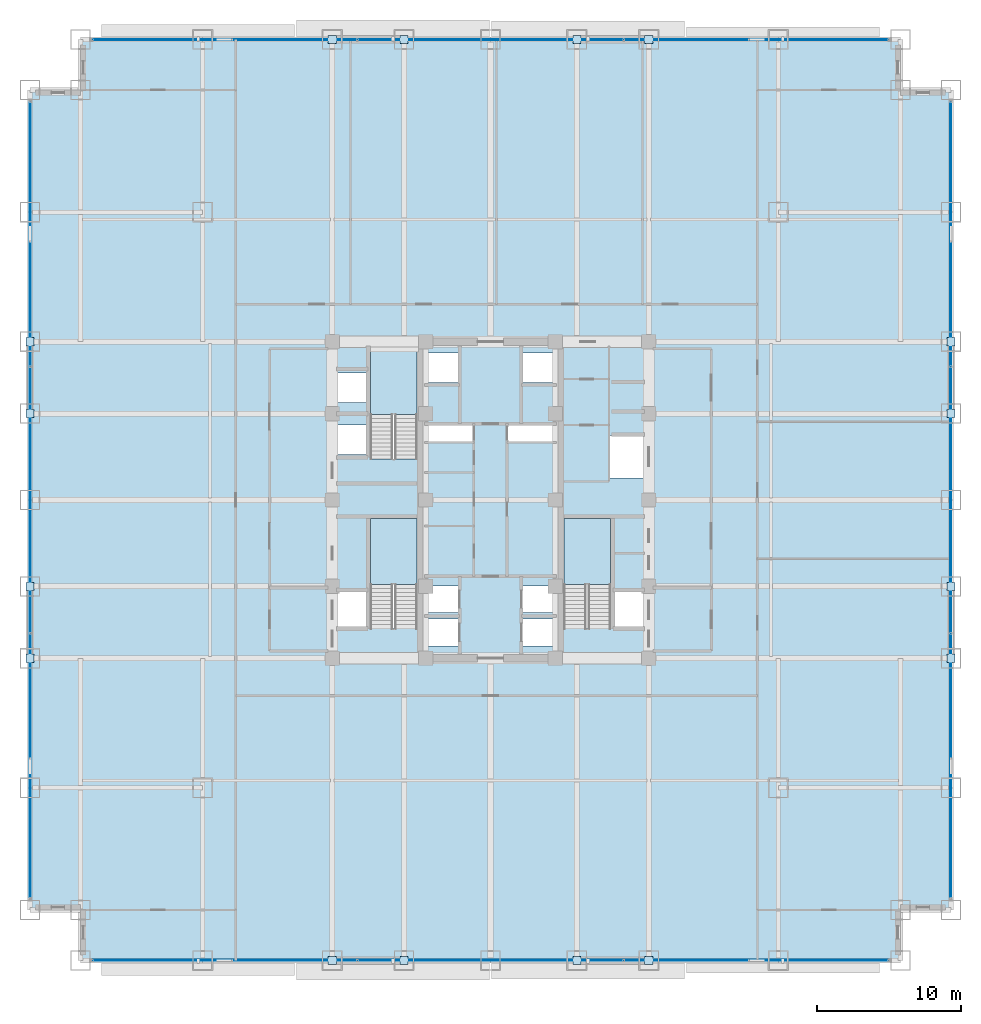
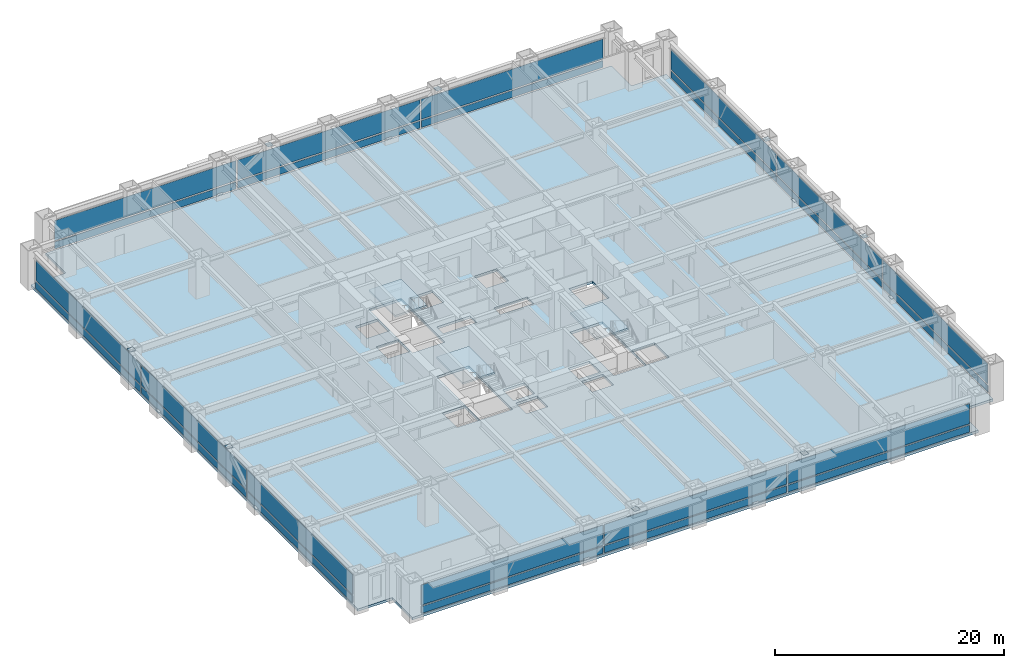
# One storey, part 22 of 31: 40 plates, 4 slabs, 7 elements without a shape of their own.
"""IFC4 building model written with IfcOpenShell, lengths in metres."""

import ifcopenshell
import ifcopenshell.guid

model = None  # the IFC model being written
_history = None  # IfcOwnerHistory: only IFC2X3 demands one
_inside = {}  # id of a spatial element -> (the spatial element, [elements in it])
_under = {}  # id of a project, library or spatial element -> (it, [spatial elements below it])
_declared = {}  # id of a project -> (the project, [libraries it declares])
_typed = {}  # id of a type object -> (the type object, [elements of that type])
_made_of = {}  # id of a material, layer set ... -> (it, [elements and type objects made of it])


def new_model(schema):
    """Start an empty IFC model of exactly this schema.

    Asked for "IFC4X3", IfcOpenShell would pick the latest addendum, in which some entities
    have other attributes; the version numbers below select the first issue.
    IFC2X3 requires an IfcOwnerHistory on every rooted entity: one is made here for all.
    """
    global model, _history
    if schema == "IFC4X3":
        model = ifcopenshell.file(schema_version=(4, 3, 0, 0))
    else:
        model = ifcopenshell.file(schema=schema)
    _inside.clear()
    _under.clear()
    _declared.clear()
    _typed.clear()
    _made_of.clear()
    _history = None
    if model.schema == "IFC2X3":
        org = make("IfcOrganization", Name="unknown")
        user = make(
            "IfcPersonAndOrganization",
            ThePerson=make("IfcPerson", FamilyName="unknown"),
            TheOrganization=org,
        )
        app = make(
            "IfcApplication",
            ApplicationDeveloper=org,
            Version="unknown",
            ApplicationFullName="unknown",
            ApplicationIdentifier="unknown",
        )
        _history = make(
            "IfcOwnerHistory",
            OwningUser=user,
            OwningApplication=app,
            ChangeAction="ADDED",
            CreationDate=0,
        )
    return model


def make(cls, **values):
    """One entity of the class cls with the attributes given. An attribute that is None is left unset."""
    return model.create_entity(
        cls, **{name: value for name, value in values.items() if value is not None}
    )


def rooted(cls, **values):
    """An entity with a GlobalId (a new one), such as an element, a storey or a relation."""
    return make(cls, GlobalId=ifcopenshell.guid.new(), OwnerHistory=_history, **values)


def si_unit(unit_type, name, prefix=None):
    """IfcSIUnit, for example si_unit("LENGTHUNIT", "METRE", prefix="MILLI")."""
    return make("IfcSIUnit", UnitType=unit_type, Prefix=prefix, Name=name)


def assignment(units):
    """IfcUnitAssignment: the units of a project."""
    return None if units is None else make("IfcUnitAssignment", Units=units)


def point(xyz):
    """IfcCartesianPoint."""
    return None if xyz is None else make("IfcCartesianPoint", Coordinates=xyz)


def direction(xyz):
    """IfcDirection."""
    return None if xyz is None else make("IfcDirection", DirectionRatios=xyz)


def frame(location, z_axis=None, x_axis=None):
    """IfcAxis2Placement3D, a coordinate frame: its origin and axes. An axis left out is left unset."""
    return make(
        "IfcAxis2Placement3D",
        Location=point(location),
        Axis=direction(z_axis),
        RefDirection=direction(x_axis),
    )


def frame_2d(location, x_axis=None):
    """IfcAxis2Placement2D, a coordinate frame in the plane: its origin and x axis."""
    return make(
        "IfcAxis2Placement2D", Location=point(location), RefDirection=direction(x_axis)
    )


def origin():
    """The frame at (0, 0, 0) with its axes left unset."""
    return frame((0.0, 0.0, 0.0))


def origin_2d():
    """The frame at (0, 0) in the plane with its x axis left unset."""
    return frame_2d((0.0, 0.0))


def place(relative_to, where):
    """IfcLocalPlacement: puts the frame where relative to a parent placement (None: the world)."""
    return make(
        "IfcLocalPlacement", PlacementRelTo=relative_to, RelativePlacement=where
    )


def context(
    kind, dimensions, precision=None, world=None, true_north=None, identifier=None
):
    """IfcGeometricRepresentationContext, for example the 3D "Model" context."""
    return make(
        "IfcGeometricRepresentationContext",
        ContextIdentifier=identifier,
        ContextType=kind,
        CoordinateSpaceDimension=dimensions,
        Precision=precision,
        WorldCoordinateSystem=world,
        TrueNorth=true_north,
    )


def subcontext(parent, identifier, kind, view, scale=None):
    """IfcGeometricRepresentationSubContext, for example "Body" below "Model"."""
    return make(
        "IfcGeometricRepresentationSubContext",
        ContextIdentifier=identifier,
        ContextType=kind,
        ParentContext=parent,
        TargetScale=scale,
        TargetView=view,
    )


def project(units=None, contexts=None):
    """IfcProject with its units and contexts."""
    return rooted(
        "IfcProject",
        Name="project",
        RepresentationContexts=contexts,
        UnitsInContext=assignment(units),
    )


def spatial(cls, under=None, at=None, **own):
    """A site, building, storey or space (cls), placed at a placement, below another one or the project."""
    s = rooted(cls, ObjectPlacement=at, **own)
    if under is not None:
        _under.setdefault(under.id(), (under, []))[1].append(s)
    return s


def polyline(points):
    """IfcPolyline through the points."""
    return make("IfcPolyline", Points=[point(p) for p in points])


def profile(cls, at=None, kind="AREA", **sizes):
    """A parametric profile (cls). Its sizes go by their IFC names, for example OverallWidth=200.0."""
    return make(cls, ProfileType=kind, Position=at, **sizes)


def rectangle(**sizes):
    """IfcRectangleProfileDef."""
    return profile("IfcRectangleProfileDef", **sizes)


def outline(outer, holes=None, kind="AREA"):
    """IfcArbitraryClosedProfileDef: a profile drawn as a closed curve; with holes, ...WithVoids."""
    if holes is None:
        return make("IfcArbitraryClosedProfileDef", ProfileType=kind, OuterCurve=outer)
    return make(
        "IfcArbitraryProfileDefWithVoids",
        ProfileType=kind,
        OuterCurve=outer,
        InnerCurves=holes,
    )


def extrude(swept, where, along, depth):
    """IfcExtrudedAreaSolid: the profile swept, set in the frame where, extruded along a direction by depth."""
    return make(
        "IfcExtrudedAreaSolid",
        SweptArea=swept,
        Position=where,
        ExtrudedDirection=direction(along),
        Depth=depth,
    )


def shape(context_of_items, identifier, shape_type, items):
    """IfcShapeRepresentation: the items that make up one representation, for example the "Body"."""
    return make(
        "IfcShapeRepresentation",
        ContextOfItems=context_of_items,
        RepresentationIdentifier=identifier,
        RepresentationType=shape_type,
        Items=items,
    )


def source(mapping_origin, context_of_items, identifier, shape_type, items):
    """IfcRepresentationMap: a shape defined once, which mapped items show again and again."""
    return make(
        "IfcRepresentationMap",
        MappingOrigin=mapping_origin,
        MappedRepresentation=shape(context_of_items, identifier, shape_type, items),
    )


def transform(
    local_origin,
    x_axis=None,
    y_axis=None,
    z_axis=None,
    scale=None,
    scale2=None,
    scale3=None,
    uniform=True,
):
    """IfcCartesianTransformationOperator3D, or its non-uniform kind. x_axis, y_axis, z_axis: its Axis1, 2, 3."""
    if uniform:
        return make(
            "IfcCartesianTransformationOperator3D",
            Axis1=direction(x_axis),
            Axis2=direction(y_axis),
            LocalOrigin=point(local_origin),
            Scale=scale,
            Axis3=direction(z_axis),
        )
    return make(
        "IfcCartesianTransformationOperator3DnonUniform",
        Axis1=direction(x_axis),
        Axis2=direction(y_axis),
        LocalOrigin=point(local_origin),
        Scale=scale,
        Axis3=direction(z_axis),
        Scale2=scale2,
        Scale3=scale3,
    )


def mapped(mapping_source, mapping_target):
    """IfcMappedItem: shows the shape of a source again, moved by a transform."""
    return make(
        "IfcMappedItem", MappingSource=mapping_source, MappingTarget=mapping_target
    )


def material(Name=None, Category=None):
    """IfcMaterial."""
    return make("IfcMaterial", Name=Name, Category=Category)


def layer(
    of_material, thickness, ventilated=None, Name=None, Category=None, Priority=None
):
    """IfcMaterialLayer: one layer of a wall or slab, of a material (None: an air gap)."""
    return make(
        "IfcMaterialLayer",
        Material=of_material,
        LayerThickness=thickness,
        IsVentilated=ventilated,
        Name=Name,
        Category=Category,
        Priority=Priority,
    )


def layer_set(layers, Name=None):
    """IfcMaterialLayerSet."""
    return make("IfcMaterialLayerSet", MaterialLayers=layers, LayerSetName=Name)


def made_of(thing, what):
    """Note that an element or type object is made of a material, layer set ...; save() writes the relation."""
    if what is not None:
        _made_of.setdefault(what.id(), (what, []))[1].append(thing)
    return thing


def type_object(cls, material=None, **own):
    """A type object (cls), such as IfcWallType, which elements share."""
    return made_of(rooted(cls, **own), material)


def element(
    cls,
    number,
    at=None,
    inside=None,
    cuts=None,
    type_object=None,
    material=None,
    context=None,
    identifier="Body",
    shape_type=None,
    held_by="IfcProductDefinitionShape",
    body=None,
    shapes=None,
    **own,
):
    """One element of the class cls, such as IfcWall. Its Tag is "e" and its number.

    at: its placement. inside: the storey or other place that contains it. cuts: it is an
    opening in that element (IfcRelVoidsElement). A single representation is given by context,
    identifier, shape_type and body (its items); several are given by shapes. held_by: the class
    of the entity that holds the representations. save() writes the other relations.
    """
    e = rooted(cls, Tag="e%d" % number, ObjectPlacement=at, **own)
    if body is not None:
        shapes = [shape(context, identifier, shape_type, body)]
    if shapes is not None:
        e.Representation = make(held_by, Representations=shapes)
    if inside is not None:
        _inside.setdefault(inside.id(), (inside, []))[1].append(e)
    if cuts is not None:
        rooted(
            "IfcRelVoidsElement", RelatingBuildingElement=cuts, RelatedOpeningElement=e
        )
    if type_object is not None:
        _typed.setdefault(type_object.id(), (type_object, []))[1].append(e)
    return made_of(e, material)


def aggregate(whole, parts):
    """IfcRelAggregates: a whole, such as a stair, and the parts it consists of."""
    return rooted("IfcRelAggregates", RelatingObject=whole, RelatedObjects=parts)


def save(model, path):
    """Write the relations noted so far, then the file.

    IfcRelAggregates (storeys below a building ...), IfcRelContainedInSpatialStructure (elements
    in a storey), IfcRelDefinesByType, IfcRelAssociatesMaterial and IfcRelDeclares: one each for
    every whole, place, type object, material and project.
    """
    for whole, parts in _under.values():
        aggregate(whole, parts)
    for where, things in _inside.values():
        rooted(
            "IfcRelContainedInSpatialStructure",
            RelatedElements=things,
            RelatingStructure=where,
        )
    for kind, things in _typed.values():
        rooted("IfcRelDefinesByType", RelatedObjects=things, RelatingType=kind)
    for what, things in _made_of.values():
        rooted("IfcRelAssociatesMaterial", RelatedObjects=things, RelatingMaterial=what)
    for by, libraries in _declared.values():
        rooted("IfcRelDeclares", RelatingContext=by, RelatedDefinitions=libraries)
    model.write(path)


model = new_model("IFC4")

# Units and contexts
model_context = context("Model", 3, precision=1e-05, world=origin(), true_north=direction((0.0, 1.0)))
body_context = subcontext(model_context, "Body", "Model", "MODEL_VIEW")
ifc_project = project(units=[si_unit("LENGTHUNIT", "METRE"), si_unit("AREAUNIT", "SQUARE_METRE"), si_unit("VOLUMEUNIT", "CUBIC_METRE"), si_unit("PLANEANGLEUNIT", "RADIAN"), si_unit("MASSUNIT", "GRAM", prefix="KILO")], contexts=[model_context])

# Site, building, storey
site_placement = place(None, origin())
site = spatial("IfcSite", under=ifc_project, at=site_placement, CompositionType="ELEMENT")
building_placement = place(site_placement, origin())
building = spatial("IfcBuilding", under=site, at=building_placement, Name="Khorayat Bourse Tower", CompositionType="ELEMENT")
storey_placement = place(building_placement, frame((0.0, 0.0, 41.0)))
storey = spatial("IfcBuildingStorey", under=building, at=storey_placement, Name="L08", CompositionType="ELEMENT", Elevation=41.0)

# Stair, slab
ifc_material_1 = material(Name="Concrete C40/50", Category="concrete")
stair_type = type_object("IfcStairType", Name="STR-CORE-1550", PredefinedType="HALF_TURN_STAIR", material=ifc_material_1)
stair_1_placement = place(storey_placement, origin())
stair_1 = element("IfcStair", 1, at=stair_1_placement, inside=storey, type_object=stair_type, Name="L08 Exit Stair ST-1", PredefinedType="HALF_TURN_STAIR")
ifc_layer_1 = layer(ifc_material_1, 0.199951171875)
ifc_layer_set_1 = layer_set([ifc_layer_1], Name="Concrete C40/50")
slab_type_1 = type_object("IfcSlabType", Name="SLB-LANDING-200", PredefinedType="LANDING", material=ifc_layer_set_1)
slab_1_placement = place(storey_placement, frame((0.0, 0.0, 1.89990234375)))
slab_1 = element("IfcSlab", 2, at=slab_1_placement, type_object=slab_type_1, Name="ST-1 landing 1", PredefinedType="LANDING", context=body_context, shape_type="SweptSolid", body=[
    extrude(outline(polyline([(-5.10009765625, -5.8701171875), (-5.10009765625, -1.300048828125), (-8.35009765625, -1.300048828125), (-8.35009765625, -5.8701171875), (-5.10009765625, -5.8701171875)])), origin(), (0.0, 0.0, 1.0), 0.2001953125),
])
aggregate(stair_1, [slab_1])

stair_2_placement = place(storey_placement, origin())
stair_2 = element("IfcStair", 3, at=stair_2_placement, inside=storey, type_object=stair_type, Name="L08 Exit Stair ST-2", PredefinedType="HALF_TURN_STAIR")
slab_2_placement = place(storey_placement, frame((0.0, 0.0, 1.89990234375)))
slab_2 = element("IfcSlab", 4, at=slab_2_placement, type_object=slab_type_1, Name="ST-2 landing 1", PredefinedType="LANDING", context=body_context, shape_type="SweptSolid", body=[
    extrude(outline(polyline([(-5.10009765625, 5.929931640625), (-5.10009765625, 10.5), (-8.35009765625, 10.5), (-8.35009765625, 5.929931640625), (-5.10009765625, 5.929931640625)])), origin(), (0.0, 0.0, 1.0), 0.2001953125),
])
aggregate(stair_2, [slab_2])

stair_3_placement = place(storey_placement, origin())
stair_3 = element("IfcStair", 5, at=stair_3_placement, inside=storey, type_object=stair_type, Name="L08 Exit Stair ST-3", PredefinedType="HALF_TURN_STAIR")
slab_3_placement = place(storey_placement, frame((0.0, 0.0, 1.89990234375)))
slab_3 = element("IfcSlab", 6, at=slab_3_placement, type_object=slab_type_1, Name="ST-3 landing 1", PredefinedType="LANDING", context=body_context, shape_type="SweptSolid", body=[
    extrude(outline(polyline([(8.35009765625, -5.8701171875), (8.35009765625, -1.300048828125), (5.10009765625, -1.300048828125), (5.10009765625, -5.8701171875), (8.35009765625, -5.8701171875)])), origin(), (0.0, 0.0, 1.0), 0.2001953125),
])
aggregate(stair_3, [slab_3])

# Slab
ifc_layer_2 = layer(ifc_material_1, 0.260009765625)
ifc_layer_set_2 = layer_set([ifc_layer_2], Name="Concrete C40/50")
slab_type_2 = type_object("IfcSlabType", Name="SLB-TRADE-260", PredefinedType="FLOOR", material=ifc_layer_set_2)
slab_4_placement = place(storey_placement, frame((0.0, 0.0, -0.260009765625)))
element("IfcSlab", 7, at=slab_4_placement, inside=storey, type_object=slab_type_2, Name="L08 Main Floor Slab", PredefinedType="FLOOR", context=body_context, shape_type="SweptSolid", body=[
    extrude(outline(polyline([(-28.5, -32.0), (28.5, -32.0), (28.5, -28.5), (32.0, -28.5), (32.0, 28.5), (28.5, 28.5), (28.5, 32.0), (-28.5, 32.0), (-28.5, 28.5), (-32.0, 28.5), (-32.0, -28.5), (-28.5, -28.5), (-28.5, -32.0)]), holes=[polyline([(-8.35009765625, -8.945068359375), (-5.10009765625, -8.945068359375), (-5.10009765625, -1.300048828125), (-8.35009765625, -1.300048828125), (-8.35009765625, -8.945068359375)]), polyline([(-8.35009765625, 2.85498046875), (-5.10009765625, 2.85498046875), (-5.10009765625, 10.5), (-8.35009765625, 10.5), (-8.35009765625, 2.85498046875)]), polyline([(5.10009765625, -8.945068359375), (8.35009765625, -8.945068359375), (8.35009765625, -1.300048828125), (5.10009765625, -1.300048828125), (5.10009765625, -8.945068359375)]), polyline([(-4.3798828125, -10.1298828125), (-2.219970703125, -10.1298828125), (-2.219970703125, -8.27001953125), (-4.3798828125, -8.27001953125), (-4.3798828125, -10.1298828125)]), polyline([(2.219970703125, -10.1298828125), (4.3798828125, -10.1298828125), (4.3798828125, -8.27001953125), (2.219970703125, -8.27001953125), (2.219970703125, -10.1298828125)]), polyline([(-4.3798828125, -7.830078125), (-2.219970703125, -7.830078125), (-2.219970703125, -5.969970703125), (-4.3798828125, -5.969970703125), (-4.3798828125, -7.830078125)]), polyline([(2.219970703125, -7.830078125), (4.3798828125, -7.830078125), (4.3798828125, -5.969970703125), (2.219970703125, -5.969970703125), (2.219970703125, -7.830078125)]), polyline([(-4.3798828125, 8.169921875), (-2.1201171875, 8.169921875), (-2.1201171875, 10.22998046875), (-4.3798828125, 10.22998046875), (-4.3798828125, 8.169921875)]), polyline([(2.1201171875, 8.169921875), (4.3798828125, 8.169921875), (4.3798828125, 10.22998046875), (2.1201171875, 10.22998046875), (2.1201171875, 8.169921875)]), polyline([(-10.679931640625, 3.169921875), (-8.419921875, 3.169921875), (-8.419921875, 5.22998046875), (-10.679931640625, 5.22998046875), (-10.679931640625, 3.169921875)]), polyline([(-10.679931640625, 6.77001953125), (-8.419921875, 6.77001953125), (-8.419921875, 8.830078125), (-10.679931640625, 8.830078125), (-10.679931640625, 6.77001953125)]), polyline([(-10.679931640625, -8.929931640625), (-8.419921875, -8.929931640625), (-8.419921875, -6.3701171875), (-10.679931640625, -6.3701171875), (-10.679931640625, -8.929931640625)]), polyline([(8.419921875, -8.929931640625), (10.679931640625, -8.929931640625), (10.679931640625, -6.3701171875), (8.419921875, -6.3701171875), (8.419921875, -8.929931640625)]), polyline([(8.320068359375, 1.52001953125), (10.679931640625, 1.52001953125), (10.679931640625, 4.47998046875), (8.320068359375, 4.47998046875), (8.320068359375, 1.52001953125)]), polyline([(-4.56005859375, 4.080078125), (-1.18994140625, 4.080078125), (-1.18994140625, 5.219970703125), (-4.56005859375, 5.219970703125), (-4.56005859375, 4.080078125)]), polyline([(1.18994140625, 4.080078125), (4.56005859375, 4.080078125), (4.56005859375, 5.219970703125), (1.18994140625, 5.219970703125), (1.18994140625, 4.080078125)])]), origin(), (0.0, 0.0, 1.0), 0.260009765625),
])

# Plates
ifc_material_2 = material(Name="Steel EN 10025-2 S355J2", Category="steel")
ifc_layer_3 = layer(ifc_material_2, 0.02490234375)
ifc_layer_set_3 = layer_set([ifc_layer_3], Name="Steel EN 10025-2 S355J2")
plate_type_1 = type_object("IfcPlateType", Name="PLT-ENDCAP-25", PredefinedType="SHEET", material=ifc_layer_set_3)
shared_shape_1 = source(origin(), body_context, "Body", "SweptSolid", [
    extrude(rectangle(XDim=0.56005859375, YDim=0.56005859375, at=origin_2d()), origin(), (0.0, 0.0, 1.0), 0.02490234375),
])
for number, where, z_axis, x_axis, name in (
    (8, (-11.0, -32.0, 0.237548828125), (0.0, 0.0, 1.0), (1.0, 0.0, 0.0), "L08 Perimeter Brace End Plate 001"),
    (9, (-6.0, -32.0, 3.677490234375), (0.0, 0.0, 1.0), (1.0, 0.0, 0.0), "L08 Perimeter Brace End Plate 002"),
    (10, (6.0, -32.0, 0.237548828125), (0.0, 0.0, 1.0), (1.0, 0.0, 0.0), "L08 Perimeter Brace End Plate 003"),
    (11, (11.0, -32.0, 3.677490234375), (0.0, 0.0, 1.0), (1.0, 0.0, 0.0), "L08 Perimeter Brace End Plate 004"),
    (12, (-11.0, 32.0, 0.237548828125), (0.0, 0.0, 1.0), (1.0, 0.0, 0.0), "L08 Perimeter Brace End Plate 005"),
    (13, (-6.0, 32.0, 3.677490234375), (0.0, 0.0, 1.0), (1.0, 0.0, 0.0), "L08 Perimeter Brace End Plate 006"),
    (14, (6.0, 32.0, 0.237548828125), (0.0, 0.0, 1.0), (1.0, 0.0, 0.0), "L08 Perimeter Brace End Plate 007"),
    (15, (11.0, 32.0, 3.677490234375), (0.0, 0.0, 1.0), (1.0, 0.0, 0.0), "L08 Perimeter Brace End Plate 008"),
    (16, (-32.0, -11.0, 0.237548828125), (0.0, 0.0, 1.0), (1.0, 0.0, 0.0), "L08 Perimeter Brace End Plate 009"),
    (17, (-32.0, -6.0, 3.677490234375), (0.0, 0.0, 1.0), (1.0, 0.0, 0.0), "L08 Perimeter Brace End Plate 010"),
    (18, (-32.0, 6.0, 0.237548828125), (0.0, 0.0, 1.0), (1.0, 0.0, 0.0), "L08 Perimeter Brace End Plate 011"),
    (19, (-32.0, 11.0, 3.677490234375), (0.0, 0.0, 1.0), (1.0, 0.0, 0.0), "L08 Perimeter Brace End Plate 012"),
    (20, (32.0, -11.0, 0.237548828125), (0.0, 0.0, 1.0), (1.0, 0.0, 0.0), "L08 Perimeter Brace End Plate 013"),
    (21, (32.0, -6.0, 3.677490234375), (0.0, 0.0, 1.0), (1.0, 0.0, 0.0), "L08 Perimeter Brace End Plate 014"),
    (22, (32.0, 6.0, 0.237548828125), (0.0, 0.0, 1.0), (1.0, 0.0, 0.0), "L08 Perimeter Brace End Plate 015"),
    (23, (32.0, 11.0, 3.677490234375), (0.0, 0.0, 1.0), (1.0, 0.0, 0.0), "L08 Perimeter Brace End Plate 016"),
):
    element("IfcPlate", number, at=place(storey_placement, frame(where, z_axis=z_axis, x_axis=x_axis)), inside=storey, type_object=plate_type_1, Name=name, PredefinedType="SHEET", context=body_context, shape_type="MappedRepresentation", body=[
        mapped(shared_shape_1, transform((0.0, 0.0, 0.0), scale=1.0)),
    ])

# Curtain wall, plates
ifc_material_3 = material(Name="Aluminium EN AW-6063 T6", Category="aluminium")
curtain_wall_type = type_object("IfcCurtainWallType", Name="CW-SYS-02", PredefinedType="NOTDEFINED", material=ifc_material_3)
curtain_wall_1_placement = place(storey_placement, origin())
curtain_wall_1 = element("IfcCurtainWall", 24, at=curtain_wall_1_placement, inside=storey, type_object=curtain_wall_type, Name="L08 Curtain Wall CW-L08-S1", PredefinedType="NOTDEFINED")
ifc_material_4 = material(Name="Honed desert limestone insulated spandrel", Category="masonry")
ifc_layer_4 = layer(ifc_material_4, 0.06494140625)
ifc_layer_set_4 = layer_set([ifc_layer_4], Name="Honed desert limestone insulated spandrel")
plate_type_2 = type_object("IfcPlateType", Name="CWP-SPAND-03", PredefinedType="CURTAIN_PANEL", material=ifc_layer_set_4)
shared_shape_2 = source(origin(), body_context, "Body", "SweptSolid", [
    extrude(rectangle(XDim=18.2900390625, YDim=0.06494140625, at=origin_2d()), origin(), (0.0, 0.0, 1.0), 0.739990234375),
])
plate_1_placement = place(storey_placement, frame((-18.465087890625, -32.0, 0.14013671875), z_axis=(0.0, 0.0, 1.0), x_axis=(1.0, 0.0, 0.0)))
plate_1 = element("IfcPlate", 25, at=plate_1_placement, type_object=plate_type_2, Name="CW-L08-S1 Spandrel Panel 1-1", PredefinedType="CURTAIN_PANEL", context=body_context, shape_type="MappedRepresentation", body=[
    mapped(shared_shape_2, transform((0.0, 0.0, 0.0), scale=1.0)),
])
plate_2_placement = place(storey_placement, frame((18.465087890625, -32.0, 0.14013671875), z_axis=(0.0, 0.0, 1.0), x_axis=(1.0, 0.0, 0.0)))
plate_2 = element("IfcPlate", 26, at=plate_2_placement, type_object=plate_type_2, Name="CW-L08-S1 Spandrel Panel 3-1", PredefinedType="CURTAIN_PANEL", context=body_context, shape_type="MappedRepresentation", body=[
    mapped(shared_shape_2, transform((0.0, 0.0, 0.0), scale=1.0)),
])

curtain_wall_2_placement = place(storey_placement, origin())
curtain_wall_2 = element("IfcCurtainWall", 27, at=curtain_wall_2_placement, inside=storey, type_object=curtain_wall_type, Name="L08 Curtain Wall CW-L08-N1", PredefinedType="NOTDEFINED")
plate_3_placement = place(storey_placement, frame((-18.465087890625, 32.0, 0.14013671875), z_axis=(0.0, 0.0, 1.0), x_axis=(1.0, 0.0, 0.0)))
plate_3 = element("IfcPlate", 28, at=plate_3_placement, type_object=plate_type_2, Name="CW-L08-N1 Spandrel Panel 1-1", PredefinedType="CURTAIN_PANEL", context=body_context, shape_type="MappedRepresentation", body=[
    mapped(shared_shape_2, transform((0.0, 0.0, 0.0), scale=1.0)),
])
plate_4_placement = place(storey_placement, frame((18.465087890625, 32.0, 0.14013671875), z_axis=(0.0, 0.0, 1.0), x_axis=(1.0, 0.0, 0.0)))
plate_4 = element("IfcPlate", 29, at=plate_4_placement, type_object=plate_type_2, Name="CW-L08-N1 Spandrel Panel 3-1", PredefinedType="CURTAIN_PANEL", context=body_context, shape_type="MappedRepresentation", body=[
    mapped(shared_shape_2, transform((0.0, 0.0, 0.0), scale=1.0)),
])

curtain_wall_3_placement = place(storey_placement, origin())
curtain_wall_3 = element("IfcCurtainWall", 30, at=curtain_wall_3_placement, inside=storey, type_object=curtain_wall_type, Name="L08 Curtain Wall CW-L08-W1", PredefinedType="NOTDEFINED")
plate_5_placement = place(storey_placement, frame((-32.0, -18.465087890625, 0.14013671875), z_axis=(0.0, 0.0, 1.0), x_axis=(0.0, 1.0, 0.0)))
plate_5 = element("IfcPlate", 31, at=plate_5_placement, type_object=plate_type_2, Name="CW-L08-W1 Spandrel Panel 1-1", PredefinedType="CURTAIN_PANEL", context=body_context, shape_type="MappedRepresentation", body=[
    mapped(shared_shape_2, transform((0.0, 0.0, 0.0), scale=1.0)),
])
plate_6_placement = place(storey_placement, frame((-32.0, 18.465087890625, 0.14013671875), z_axis=(0.0, 0.0, 1.0), x_axis=(0.0, 1.0, 0.0)))
plate_6 = element("IfcPlate", 32, at=plate_6_placement, type_object=plate_type_2, Name="CW-L08-W1 Spandrel Panel 3-1", PredefinedType="CURTAIN_PANEL", context=body_context, shape_type="MappedRepresentation", body=[
    mapped(shared_shape_2, transform((0.0, 0.0, 0.0), scale=1.0)),
])

curtain_wall_4_placement = place(storey_placement, origin())
curtain_wall_4 = element("IfcCurtainWall", 33, at=curtain_wall_4_placement, inside=storey, type_object=curtain_wall_type, Name="L08 Curtain Wall CW-L08-E1", PredefinedType="NOTDEFINED")
plate_7_placement = place(storey_placement, frame((32.0, -18.465087890625, 0.14013671875), z_axis=(0.0, 0.0, 1.0), x_axis=(0.0, 1.0, 0.0)))
plate_7 = element("IfcPlate", 34, at=plate_7_placement, type_object=plate_type_2, Name="CW-L08-E1 Spandrel Panel 1-1", PredefinedType="CURTAIN_PANEL", context=body_context, shape_type="MappedRepresentation", body=[
    mapped(shared_shape_2, transform((0.0, 0.0, 0.0), scale=1.0)),
])
plate_8_placement = place(storey_placement, frame((32.0, 18.465087890625, 0.14013671875), z_axis=(0.0, 0.0, 1.0), x_axis=(0.0, 1.0, 0.0)))
plate_8 = element("IfcPlate", 35, at=plate_8_placement, type_object=plate_type_2, Name="CW-L08-E1 Spandrel Panel 3-1", PredefinedType="CURTAIN_PANEL", context=body_context, shape_type="MappedRepresentation", body=[
    mapped(shared_shape_2, transform((0.0, 0.0, 0.0), scale=1.0)),
])

# Plate
ifc_material_5 = material(Name="Low-E solar-control laminated double glazing", Category="glass")
ifc_layer_5 = layer(ifc_material_5, 0.0419921875)
ifc_layer_set_5 = layer_set([ifc_layer_5], Name="Low-E solar-control laminated double glazing")
plate_type_3 = type_object("IfcPlateType", Name="CWP-FACET-02", PredefinedType="CURTAIN_PANEL", material=ifc_layer_set_5)
shared_shape_3 = source(origin(), body_context, "Body", "SweptSolid", [
    extrude(rectangle(XDim=18.2900390625, YDim=0.0419921875, at=origin_2d()), origin(), (0.0, 0.0, 1.0), 2.1298828125),
])
plate_9_placement = place(storey_placement, frame((-18.465087890625, -32.0, 1.02001953125), z_axis=(0.0, 0.0, 1.0), x_axis=(1.0, 0.0, 0.0)))
plate_9 = element("IfcPlate", 36, at=plate_9_placement, type_object=plate_type_3, Name="CW-L08-S1 Vision Panel 1-2", PredefinedType="CURTAIN_PANEL", context=body_context, shape_type="MappedRepresentation", body=[
    mapped(shared_shape_3, transform((0.0, 0.0, 0.0), scale=1.0)),
])

plate_10_placement = place(storey_placement, frame((18.465087890625, -32.0, 1.02001953125), z_axis=(0.0, 0.0, 1.0), x_axis=(1.0, 0.0, 0.0)))
plate_10 = element("IfcPlate", 37, at=plate_10_placement, type_object=plate_type_3, Name="CW-L08-S1 Vision Panel 3-2", PredefinedType="CURTAIN_PANEL", context=body_context, shape_type="MappedRepresentation", body=[
    mapped(shared_shape_3, transform((0.0, 0.0, 0.0), scale=1.0)),
])

plate_11_placement = place(storey_placement, frame((-18.465087890625, 32.0, 1.02001953125), z_axis=(0.0, 0.0, 1.0), x_axis=(1.0, 0.0, 0.0)))
plate_11 = element("IfcPlate", 38, at=plate_11_placement, type_object=plate_type_3, Name="CW-L08-N1 Vision Panel 1-2", PredefinedType="CURTAIN_PANEL", context=body_context, shape_type="MappedRepresentation", body=[
    mapped(shared_shape_3, transform((0.0, 0.0, 0.0), scale=1.0)),
])

plate_12_placement = place(storey_placement, frame((18.465087890625, 32.0, 1.02001953125), z_axis=(0.0, 0.0, 1.0), x_axis=(1.0, 0.0, 0.0)))
plate_12 = element("IfcPlate", 39, at=plate_12_placement, type_object=plate_type_3, Name="CW-L08-N1 Vision Panel 3-2", PredefinedType="CURTAIN_PANEL", context=body_context, shape_type="MappedRepresentation", body=[
    mapped(shared_shape_3, transform((0.0, 0.0, 0.0), scale=1.0)),
])

plate_13_placement = place(storey_placement, frame((-32.0, -18.465087890625, 1.02001953125), z_axis=(0.0, 0.0, 1.0), x_axis=(0.0, 1.0, 0.0)))
plate_13 = element("IfcPlate", 40, at=plate_13_placement, type_object=plate_type_3, Name="CW-L08-W1 Vision Panel 1-2", PredefinedType="CURTAIN_PANEL", context=body_context, shape_type="MappedRepresentation", body=[
    mapped(shared_shape_3, transform((0.0, 0.0, 0.0), scale=1.0)),
])

plate_14_placement = place(storey_placement, frame((-32.0, 18.465087890625, 1.02001953125), z_axis=(0.0, 0.0, 1.0), x_axis=(0.0, 1.0, 0.0)))
plate_14 = element("IfcPlate", 41, at=plate_14_placement, type_object=plate_type_3, Name="CW-L08-W1 Vision Panel 3-2", PredefinedType="CURTAIN_PANEL", context=body_context, shape_type="MappedRepresentation", body=[
    mapped(shared_shape_3, transform((0.0, 0.0, 0.0), scale=1.0)),
])

plate_15_placement = place(storey_placement, frame((32.0, -18.465087890625, 1.02001953125), z_axis=(0.0, 0.0, 1.0), x_axis=(0.0, 1.0, 0.0)))
plate_15 = element("IfcPlate", 42, at=plate_15_placement, type_object=plate_type_3, Name="CW-L08-E1 Vision Panel 1-2", PredefinedType="CURTAIN_PANEL", context=body_context, shape_type="MappedRepresentation", body=[
    mapped(shared_shape_3, transform((0.0, 0.0, 0.0), scale=1.0)),
])

plate_16_placement = place(storey_placement, frame((32.0, 18.465087890625, 1.02001953125), z_axis=(0.0, 0.0, 1.0), x_axis=(0.0, 1.0, 0.0)))
plate_16 = element("IfcPlate", 43, at=plate_16_placement, type_object=plate_type_3, Name="CW-L08-E1 Vision Panel 3-2", PredefinedType="CURTAIN_PANEL", context=body_context, shape_type="MappedRepresentation", body=[
    mapped(shared_shape_3, transform((0.0, 0.0, 0.0), scale=1.0)),
])

shared_shape_4 = source(origin(), body_context, "Body", "SweptSolid", [
    extrude(rectangle(XDim=18.360107421875, YDim=0.06494140625, at=origin_2d()), origin(), (0.0, 0.0, 1.0), 0.739990234375),
])
plate_17_placement = place(storey_placement, frame((0.0, -32.0, 0.14013671875), z_axis=(0.0, 0.0, 1.0), x_axis=(1.0, 0.0, 0.0)))
plate_17 = element("IfcPlate", 44, at=plate_17_placement, type_object=plate_type_2, Name="CW-L08-S1 Spandrel Panel 2-1", PredefinedType="CURTAIN_PANEL", context=body_context, shape_type="MappedRepresentation", body=[
    mapped(shared_shape_4, transform((0.0, 0.0, 0.0), scale=1.0)),
])

plate_18_placement = place(storey_placement, frame((0.0, 32.0, 0.14013671875), z_axis=(0.0, 0.0, 1.0), x_axis=(1.0, 0.0, 0.0)))
plate_18 = element("IfcPlate", 45, at=plate_18_placement, type_object=plate_type_2, Name="CW-L08-N1 Spandrel Panel 2-1", PredefinedType="CURTAIN_PANEL", context=body_context, shape_type="MappedRepresentation", body=[
    mapped(shared_shape_4, transform((0.0, 0.0, 0.0), scale=1.0)),
])

plate_19_placement = place(storey_placement, frame((-32.0, 0.0, 0.14013671875), z_axis=(0.0, 0.0, 1.0), x_axis=(0.0, 1.0, 0.0)))
plate_19 = element("IfcPlate", 46, at=plate_19_placement, type_object=plate_type_2, Name="CW-L08-W1 Spandrel Panel 2-1", PredefinedType="CURTAIN_PANEL", context=body_context, shape_type="MappedRepresentation", body=[
    mapped(shared_shape_4, transform((0.0, 0.0, 0.0), scale=1.0)),
])

plate_20_placement = place(storey_placement, frame((32.0, 0.0, 0.14013671875), z_axis=(0.0, 0.0, 1.0), x_axis=(0.0, 1.0, 0.0)))
plate_20 = element("IfcPlate", 47, at=plate_20_placement, type_object=plate_type_2, Name="CW-L08-E1 Spandrel Panel 2-1", PredefinedType="CURTAIN_PANEL", context=body_context, shape_type="MappedRepresentation", body=[
    mapped(shared_shape_4, transform((0.0, 0.0, 0.0), scale=1.0)),
])

shared_shape_5 = source(origin(), body_context, "Body", "SweptSolid", [
    extrude(rectangle(XDim=18.360107421875, YDim=0.0419921875, at=origin_2d()), origin(), (0.0, 0.0, 1.0), 2.1298828125),
])
plate_21_placement = place(storey_placement, frame((0.0, -32.0, 1.02001953125), z_axis=(0.0, 0.0, 1.0), x_axis=(1.0, 0.0, 0.0)))
plate_21 = element("IfcPlate", 48, at=plate_21_placement, type_object=plate_type_3, Name="CW-L08-S1 Vision Panel 2-2", PredefinedType="CURTAIN_PANEL", context=body_context, shape_type="MappedRepresentation", body=[
    mapped(shared_shape_5, transform((0.0, 0.0, 0.0), scale=1.0)),
])

aggregate(curtain_wall_1, [plate_1, plate_9, plate_17, plate_21, plate_2, plate_10])

plate_22_placement = place(storey_placement, frame((0.0, 32.0, 1.02001953125), z_axis=(0.0, 0.0, 1.0), x_axis=(1.0, 0.0, 0.0)))
plate_22 = element("IfcPlate", 49, at=plate_22_placement, type_object=plate_type_3, Name="CW-L08-N1 Vision Panel 2-2", PredefinedType="CURTAIN_PANEL", context=body_context, shape_type="MappedRepresentation", body=[
    mapped(shared_shape_5, transform((0.0, 0.0, 0.0), scale=1.0)),
])

aggregate(curtain_wall_2, [plate_3, plate_11, plate_18, plate_22, plate_4, plate_12])

plate_23_placement = place(storey_placement, frame((-32.0, 0.0, 1.02001953125), z_axis=(0.0, 0.0, 1.0), x_axis=(0.0, 1.0, 0.0)))
plate_23 = element("IfcPlate", 50, at=plate_23_placement, type_object=plate_type_3, Name="CW-L08-W1 Vision Panel 2-2", PredefinedType="CURTAIN_PANEL", context=body_context, shape_type="MappedRepresentation", body=[
    mapped(shared_shape_5, transform((0.0, 0.0, 0.0), scale=1.0)),
])

aggregate(curtain_wall_3, [plate_5, plate_13, plate_19, plate_23, plate_6, plate_14])

plate_24_placement = place(storey_placement, frame((32.0, 0.0, 1.02001953125), z_axis=(0.0, 0.0, 1.0), x_axis=(0.0, 1.0, 0.0)))
plate_24 = element("IfcPlate", 51, at=plate_24_placement, type_object=plate_type_3, Name="CW-L08-E1 Vision Panel 2-2", PredefinedType="CURTAIN_PANEL", context=body_context, shape_type="MappedRepresentation", body=[
    mapped(shared_shape_5, transform((0.0, 0.0, 0.0), scale=1.0)),
])

aggregate(curtain_wall_4, [plate_7, plate_15, plate_20, plate_24, plate_8, plate_16])

save(model, "model.ifc")
